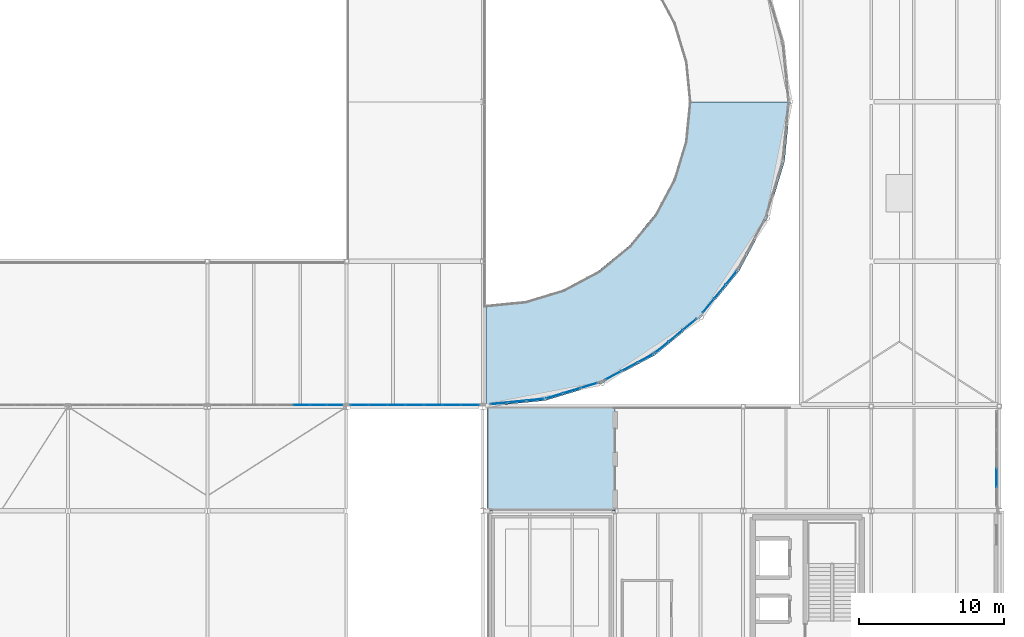
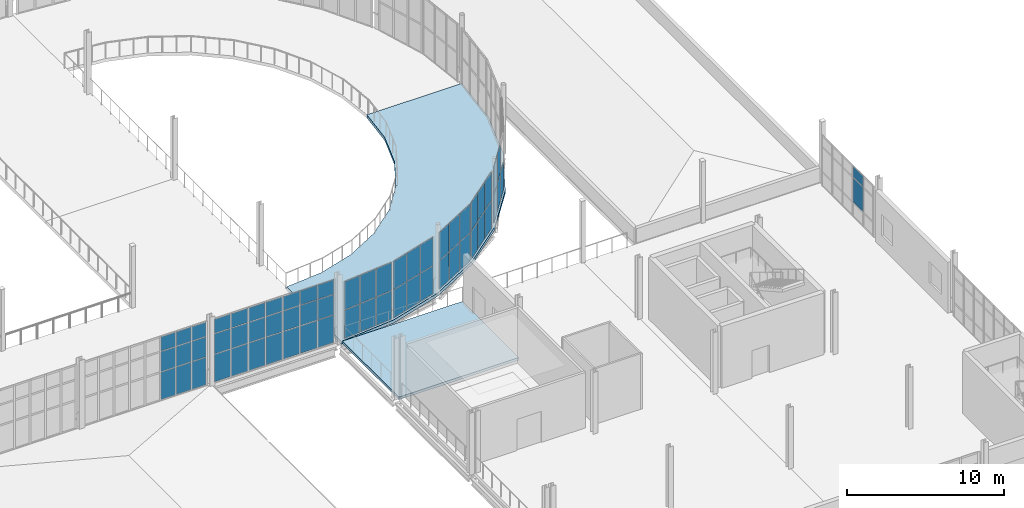
# One storey, part 84 of 112: 61 plates, 2 slabs, 8 elements without a shape of their own.
"""IFC4 building model written with IfcOpenShell, lengths in metres."""

from ifc_helpers import new_model, si_unit, direction, frame, origin, origin_2d, place, context, subcontext, project, spatial, polyline, rectangle, outline, extrude, material, layer, layer_set, type_object, element, aggregate, save


model = new_model("IFC4")

# Units and contexts
model_context = context("Model", 3, precision=1e-05, world=origin(), true_north=direction((0.0, 1.0)))
body_context = subcontext(model_context, "Body", "Model", "MODEL_VIEW")
ifc_project = project(units=[si_unit("LENGTHUNIT", "METRE"), si_unit("AREAUNIT", "SQUARE_METRE"), si_unit("VOLUMEUNIT", "CUBIC_METRE"), si_unit("PLANEANGLEUNIT", "RADIAN"), si_unit("MASSUNIT", "GRAM", prefix="KILO")], contexts=[model_context])

# Site, building, storey
site_placement = place(None, origin())
site = spatial("IfcSite", under=ifc_project, at=site_placement, CompositionType="ELEMENT")
building_placement = place(site_placement, origin())
building = spatial("IfcBuilding", under=site, at=building_placement, Name="Yeouljin Market Hall", CompositionType="ELEMENT")
storey_placement = place(building_placement, frame((0.0, 0.0, 6.0)))
storey = spatial("IfcBuildingStorey", under=building, at=storey_placement, Name="L01", CompositionType="ELEMENT", Elevation=6.0)

# Curtain wall, plates
ifc_material_1 = material(Name="Thermally Broken Aluminium", Category="aluminium")
ifc_layer_1 = layer(ifc_material_1, 0.159912109375)
ifc_layer_set_1 = layer_set([ifc_layer_1], Name="Thermally Broken Aluminium")
curtain_wall_type_1 = type_object("IfcCurtainWallType", Name="CW_HallClerestory_System", PredefinedType="USERDEFINED", material=ifc_layer_set_1)
curtain_wall_1_placement = place(storey_placement, origin())
curtain_wall_1 = element("IfcCurtainWall", 1, at=curtain_wall_1_placement, inside=storey, type_object=curtain_wall_type_1, Name="Curtain wall CW-V1S-L01-10", ObjectType="CURTAIN WALL", PredefinedType="USERDEFINED")
ifc_material_2 = material(Name="Low-E Insulated Glass", Category="glass")
ifc_layer_2 = layer(ifc_material_2, 0.028076171875)
ifc_layer_set_2 = layer_set([ifc_layer_2], Name="Low-E Insulated Glass")
plate_type = type_object("IfcPlateType", Name="CWPanel_LowE_28", PredefinedType="CURTAIN_PANEL", material=ifc_layer_set_2)
plate_1_placement = place(storey_placement, frame((130.5693359375, 36.10009765625, 0.048095703125), z_axis=(0.0, 0.0, 1.0), x_axis=(-1.0, 0.0, 0.0)))
plate_1 = element("IfcPlate", 2, at=plate_1_placement, type_object=plate_type, Name="CW-02 panel 1.1", PredefinedType="CURTAIN_PANEL", context=body_context, shape_type="SweptSolid", body=[
    extrude(rectangle(XDim=1.0654296875, YDim=0.028076171875, at=origin_2d()), origin(), (0.0, 0.0, 1.0), 2.1279296875),
])
plate_2_placement = place(storey_placement, frame((130.5693359375, 36.10009765625, 2.22412109375), z_axis=(0.0, 0.0, 1.0), x_axis=(-1.0, 0.0, 0.0)))
plate_2 = element("IfcPlate", 3, at=plate_2_placement, type_object=plate_type, Name="CW-02 panel 1.2", PredefinedType="CURTAIN_PANEL", context=body_context, shape_type="SweptSolid", body=[
    extrude(rectangle(XDim=1.0654296875, YDim=0.028076171875, at=origin_2d()), origin(), (0.0, 0.0, 1.0), 1.552001953125),
])
plate_3_placement = place(storey_placement, frame((130.5693359375, 36.10009765625, 3.82421875), z_axis=(0.0, 0.0, 1.0), x_axis=(-1.0, 0.0, 0.0)))
plate_3 = element("IfcPlate", 4, at=plate_3_placement, type_object=plate_type, Name="CW-02 panel 1.3", PredefinedType="CURTAIN_PANEL", context=body_context, shape_type="SweptSolid", body=[
    extrude(rectangle(XDim=1.0654296875, YDim=0.028076171875, at=origin_2d()), origin(), (0.0, 0.0, 1.0), 1.097900390625),
])
plate_4_placement = place(storey_placement, frame((129.44384765625, 36.10009765625, 0.048095703125), z_axis=(0.0, 0.0, 1.0), x_axis=(-1.0, 0.0, 0.0)))
plate_4 = element("IfcPlate", 5, at=plate_4_placement, type_object=plate_type, Name="CW-02 panel 2.1", PredefinedType="CURTAIN_PANEL", context=body_context, shape_type="SweptSolid", body=[
    extrude(rectangle(XDim=1.089599609375, YDim=0.028076171875, at=origin_2d()), origin(), (0.0, 0.0, 1.0), 2.1279296875),
])
plate_5_placement = place(storey_placement, frame((129.44384765625, 36.10009765625, 2.22412109375), z_axis=(0.0, 0.0, 1.0), x_axis=(-1.0, 0.0, 0.0)))
plate_5 = element("IfcPlate", 6, at=plate_5_placement, type_object=plate_type, Name="CW-02 panel 2.2", PredefinedType="CURTAIN_PANEL", context=body_context, shape_type="SweptSolid", body=[
    extrude(rectangle(XDim=1.089599609375, YDim=0.028076171875, at=origin_2d()), origin(), (0.0, 0.0, 1.0), 1.552001953125),
])
plate_6_placement = place(storey_placement, frame((129.44384765625, 36.10009765625, 3.82421875), z_axis=(0.0, 0.0, 1.0), x_axis=(-1.0, 0.0, 0.0)))
plate_6 = element("IfcPlate", 7, at=plate_6_placement, type_object=plate_type, Name="CW-02 panel 2.3", PredefinedType="CURTAIN_PANEL", context=body_context, shape_type="SweptSolid", body=[
    extrude(rectangle(XDim=1.089599609375, YDim=0.028076171875, at=origin_2d()), origin(), (0.0, 0.0, 1.0), 1.097900390625),
])
plate_7_placement = place(storey_placement, frame((128.30615234375, 36.10009765625, 0.048095703125), z_axis=(0.0, 0.0, 1.0), x_axis=(-1.0, 0.0, 0.0)))
plate_7 = element("IfcPlate", 8, at=plate_7_placement, type_object=plate_type, Name="CW-02 panel 3.1", PredefinedType="CURTAIN_PANEL", context=body_context, shape_type="SweptSolid", body=[
    extrude(rectangle(XDim=1.089599609375, YDim=0.028076171875, at=origin_2d()), origin(), (0.0, 0.0, 1.0), 2.1279296875),
])
plate_8_placement = place(storey_placement, frame((128.30615234375, 36.10009765625, 2.22412109375), z_axis=(0.0, 0.0, 1.0), x_axis=(-1.0, 0.0, 0.0)))
plate_8 = element("IfcPlate", 9, at=plate_8_placement, type_object=plate_type, Name="CW-02 panel 3.2", PredefinedType="CURTAIN_PANEL", context=body_context, shape_type="SweptSolid", body=[
    extrude(rectangle(XDim=1.089599609375, YDim=0.028076171875, at=origin_2d()), origin(), (0.0, 0.0, 1.0), 1.552001953125),
])
plate_9_placement = place(storey_placement, frame((128.30615234375, 36.10009765625, 3.82421875), z_axis=(0.0, 0.0, 1.0), x_axis=(-1.0, 0.0, 0.0)))
plate_9 = element("IfcPlate", 10, at=plate_9_placement, type_object=plate_type, Name="CW-02 panel 3.3", PredefinedType="CURTAIN_PANEL", context=body_context, shape_type="SweptSolid", body=[
    extrude(rectangle(XDim=1.089599609375, YDim=0.028076171875, at=origin_2d()), origin(), (0.0, 0.0, 1.0), 1.097900390625),
])
aggregate(curtain_wall_1, [plate_1, plate_2, plate_3, plate_4, plate_5, plate_6, plate_7, plate_8, plate_9])

curtain_wall_2_placement = place(storey_placement, origin())
curtain_wall_2 = element("IfcCurtainWall", 11, at=curtain_wall_2_placement, inside=storey, type_object=curtain_wall_type_1, Name="Curtain wall CW-V1S-L01-11", ObjectType="CURTAIN WALL", PredefinedType="USERDEFINED")
plate_10_placement = place(storey_placement, frame((139.90234375, 36.10009765625, 0.048095703125), z_axis=(0.0, 0.0, 1.0), x_axis=(-1.0, 0.0, 0.0)))
plate_10 = element("IfcPlate", 12, at=plate_10_placement, type_object=plate_type, Name="CW-02 panel 1.1", PredefinedType="CURTAIN_PANEL", context=body_context, shape_type="SweptSolid", body=[
    extrude(rectangle(XDim=1.199462890625, YDim=0.028076171875, at=origin_2d()), origin(), (0.0, 0.0, 1.0), 2.1279296875),
])
plate_11_placement = place(storey_placement, frame((139.90234375, 36.10009765625, 2.22412109375), z_axis=(0.0, 0.0, 1.0), x_axis=(-1.0, 0.0, 0.0)))
plate_11 = element("IfcPlate", 13, at=plate_11_placement, type_object=plate_type, Name="CW-02 panel 1.2", PredefinedType="CURTAIN_PANEL", context=body_context, shape_type="SweptSolid", body=[
    extrude(rectangle(XDim=1.199462890625, YDim=0.028076171875, at=origin_2d()), origin(), (0.0, 0.0, 1.0), 1.552001953125),
])
plate_12_placement = place(storey_placement, frame((139.90234375, 36.10009765625, 3.82421875), z_axis=(0.0, 0.0, 1.0), x_axis=(-1.0, 0.0, 0.0)))
plate_12 = element("IfcPlate", 14, at=plate_12_placement, type_object=plate_type, Name="CW-02 panel 1.3", PredefinedType="CURTAIN_PANEL", context=body_context, shape_type="SweptSolid", body=[
    extrude(rectangle(XDim=1.199462890625, YDim=0.028076171875, at=origin_2d()), origin(), (0.0, 0.0, 1.0), 1.097900390625),
])
plate_13_placement = place(storey_placement, frame((138.642822265625, 36.10009765625, 0.048095703125), z_axis=(0.0, 0.0, 1.0), x_axis=(-1.0, 0.0, 0.0)))
plate_13 = element("IfcPlate", 15, at=plate_13_placement, type_object=plate_type, Name="CW-02 panel 2.1", PredefinedType="CURTAIN_PANEL", context=body_context, shape_type="SweptSolid", body=[
    extrude(rectangle(XDim=1.223388671875, YDim=0.028076171875, at=origin_2d()), origin(), (0.0, 0.0, 1.0), 2.1279296875),
])
plate_14_placement = place(storey_placement, frame((138.642822265625, 36.10009765625, 2.22412109375), z_axis=(0.0, 0.0, 1.0), x_axis=(-1.0, 0.0, 0.0)))
plate_14 = element("IfcPlate", 16, at=plate_14_placement, type_object=plate_type, Name="CW-02 panel 2.2", PredefinedType="CURTAIN_PANEL", context=body_context, shape_type="SweptSolid", body=[
    extrude(rectangle(XDim=1.223388671875, YDim=0.028076171875, at=origin_2d()), origin(), (0.0, 0.0, 1.0), 1.552001953125),
])
plate_15_placement = place(storey_placement, frame((138.642822265625, 36.10009765625, 3.82421875), z_axis=(0.0, 0.0, 1.0), x_axis=(-1.0, 0.0, 0.0)))
plate_15 = element("IfcPlate", 17, at=plate_15_placement, type_object=plate_type, Name="CW-02 panel 2.3", PredefinedType="CURTAIN_PANEL", context=body_context, shape_type="SweptSolid", body=[
    extrude(rectangle(XDim=1.223388671875, YDim=0.028076171875, at=origin_2d()), origin(), (0.0, 0.0, 1.0), 1.097900390625),
])
plate_16_placement = place(storey_placement, frame((137.371337890625, 36.10009765625, 0.048095703125), z_axis=(0.0, 0.0, 1.0), x_axis=(-1.0, 0.0, 0.0)))
plate_16 = element("IfcPlate", 18, at=plate_16_placement, type_object=plate_type, Name="CW-02 panel 3.1", PredefinedType="CURTAIN_PANEL", context=body_context, shape_type="SweptSolid", body=[
    extrude(rectangle(XDim=1.223388671875, YDim=0.028076171875, at=origin_2d()), origin(), (0.0, 0.0, 1.0), 2.1279296875),
])
plate_17_placement = place(storey_placement, frame((137.371337890625, 36.10009765625, 2.22412109375), z_axis=(0.0, 0.0, 1.0), x_axis=(-1.0, 0.0, 0.0)))
plate_17 = element("IfcPlate", 19, at=plate_17_placement, type_object=plate_type, Name="CW-02 panel 3.2", PredefinedType="CURTAIN_PANEL", context=body_context, shape_type="SweptSolid", body=[
    extrude(rectangle(XDim=1.223388671875, YDim=0.028076171875, at=origin_2d()), origin(), (0.0, 0.0, 1.0), 1.552001953125),
])
plate_18_placement = place(storey_placement, frame((137.371337890625, 36.10009765625, 3.82421875), z_axis=(0.0, 0.0, 1.0), x_axis=(-1.0, 0.0, 0.0)))
plate_18 = element("IfcPlate", 20, at=plate_18_placement, type_object=plate_type, Name="CW-02 panel 3.3", PredefinedType="CURTAIN_PANEL", context=body_context, shape_type="SweptSolid", body=[
    extrude(rectangle(XDim=1.223388671875, YDim=0.028076171875, at=origin_2d()), origin(), (0.0, 0.0, 1.0), 1.097900390625),
])
plate_19_placement = place(storey_placement, frame((136.10009765625, 36.10009765625, 0.048095703125), z_axis=(0.0, 0.0, 1.0), x_axis=(-1.0, 0.0, 0.0)))
plate_19 = element("IfcPlate", 21, at=plate_19_placement, type_object=plate_type, Name="CW-02 panel 4.1", PredefinedType="CURTAIN_PANEL", context=body_context, shape_type="SweptSolid", body=[
    extrude(rectangle(XDim=1.223388671875, YDim=0.028076171875, at=origin_2d()), origin(), (0.0, 0.0, 1.0), 2.1279296875),
])
plate_20_placement = place(storey_placement, frame((136.10009765625, 36.10009765625, 2.22412109375), z_axis=(0.0, 0.0, 1.0), x_axis=(-1.0, 0.0, 0.0)))
plate_20 = element("IfcPlate", 22, at=plate_20_placement, type_object=plate_type, Name="CW-02 panel 4.2", PredefinedType="CURTAIN_PANEL", context=body_context, shape_type="SweptSolid", body=[
    extrude(rectangle(XDim=1.223388671875, YDim=0.028076171875, at=origin_2d()), origin(), (0.0, 0.0, 1.0), 1.552001953125),
])
plate_21_placement = place(storey_placement, frame((136.10009765625, 36.10009765625, 3.82421875), z_axis=(0.0, 0.0, 1.0), x_axis=(-1.0, 0.0, 0.0)))
plate_21 = element("IfcPlate", 23, at=plate_21_placement, type_object=plate_type, Name="CW-02 panel 4.3", PredefinedType="CURTAIN_PANEL", context=body_context, shape_type="SweptSolid", body=[
    extrude(rectangle(XDim=1.223388671875, YDim=0.028076171875, at=origin_2d()), origin(), (0.0, 0.0, 1.0), 1.097900390625),
])
plate_22_placement = place(storey_placement, frame((134.82861328125, 36.10009765625, 0.048095703125), z_axis=(0.0, 0.0, 1.0), x_axis=(-1.0, 0.0, 0.0)))
plate_22 = element("IfcPlate", 24, at=plate_22_placement, type_object=plate_type, Name="CW-02 panel 5.1", PredefinedType="CURTAIN_PANEL", context=body_context, shape_type="SweptSolid", body=[
    extrude(rectangle(XDim=1.223388671875, YDim=0.028076171875, at=origin_2d()), origin(), (0.0, 0.0, 1.0), 2.1279296875),
])
plate_23_placement = place(storey_placement, frame((134.82861328125, 36.10009765625, 2.22412109375), z_axis=(0.0, 0.0, 1.0), x_axis=(-1.0, 0.0, 0.0)))
plate_23 = element("IfcPlate", 25, at=plate_23_placement, type_object=plate_type, Name="CW-02 panel 5.2", PredefinedType="CURTAIN_PANEL", context=body_context, shape_type="SweptSolid", body=[
    extrude(rectangle(XDim=1.223388671875, YDim=0.028076171875, at=origin_2d()), origin(), (0.0, 0.0, 1.0), 1.552001953125),
])
plate_24_placement = place(storey_placement, frame((134.82861328125, 36.10009765625, 3.82421875), z_axis=(0.0, 0.0, 1.0), x_axis=(-1.0, 0.0, 0.0)))
plate_24 = element("IfcPlate", 26, at=plate_24_placement, type_object=plate_type, Name="CW-02 panel 5.3", PredefinedType="CURTAIN_PANEL", context=body_context, shape_type="SweptSolid", body=[
    extrude(rectangle(XDim=1.223388671875, YDim=0.028076171875, at=origin_2d()), origin(), (0.0, 0.0, 1.0), 1.097900390625),
])
plate_25_placement = place(storey_placement, frame((133.55712890625, 36.10009765625, 0.048095703125), z_axis=(0.0, 0.0, 1.0), x_axis=(-1.0, 0.0, 0.0)))
plate_25 = element("IfcPlate", 27, at=plate_25_placement, type_object=plate_type, Name="CW-02 panel 6.1", PredefinedType="CURTAIN_PANEL", context=body_context, shape_type="SweptSolid", body=[
    extrude(rectangle(XDim=1.223388671875, YDim=0.028076171875, at=origin_2d()), origin(), (0.0, 0.0, 1.0), 2.1279296875),
])
plate_26_placement = place(storey_placement, frame((133.55712890625, 36.10009765625, 2.22412109375), z_axis=(0.0, 0.0, 1.0), x_axis=(-1.0, 0.0, 0.0)))
plate_26 = element("IfcPlate", 28, at=plate_26_placement, type_object=plate_type, Name="CW-02 panel 6.2", PredefinedType="CURTAIN_PANEL", context=body_context, shape_type="SweptSolid", body=[
    extrude(rectangle(XDim=1.223388671875, YDim=0.028076171875, at=origin_2d()), origin(), (0.0, 0.0, 1.0), 1.552001953125),
])
plate_27_placement = place(storey_placement, frame((133.55712890625, 36.10009765625, 3.82421875), z_axis=(0.0, 0.0, 1.0), x_axis=(-1.0, 0.0, 0.0)))
plate_27 = element("IfcPlate", 29, at=plate_27_placement, type_object=plate_type, Name="CW-02 panel 6.3", PredefinedType="CURTAIN_PANEL", context=body_context, shape_type="SweptSolid", body=[
    extrude(rectangle(XDim=1.223388671875, YDim=0.028076171875, at=origin_2d()), origin(), (0.0, 0.0, 1.0), 1.097900390625),
])
plate_28_placement = place(storey_placement, frame((132.297607421875, 36.10009765625, 0.048095703125), z_axis=(0.0, 0.0, 1.0), x_axis=(-1.0, 0.0, 0.0)))
plate_28 = element("IfcPlate", 30, at=plate_28_placement, type_object=plate_type, Name="CW-02 panel 7.1", PredefinedType="CURTAIN_PANEL", context=body_context, shape_type="SweptSolid", body=[
    extrude(rectangle(XDim=1.199462890625, YDim=0.028076171875, at=origin_2d()), origin(), (0.0, 0.0, 1.0), 2.1279296875),
])
plate_29_placement = place(storey_placement, frame((132.297607421875, 36.10009765625, 2.22412109375), z_axis=(0.0, 0.0, 1.0), x_axis=(-1.0, 0.0, 0.0)))
plate_29 = element("IfcPlate", 31, at=plate_29_placement, type_object=plate_type, Name="CW-02 panel 7.2", PredefinedType="CURTAIN_PANEL", context=body_context, shape_type="SweptSolid", body=[
    extrude(rectangle(XDim=1.199462890625, YDim=0.028076171875, at=origin_2d()), origin(), (0.0, 0.0, 1.0), 1.552001953125),
])
plate_30_placement = place(storey_placement, frame((132.297607421875, 36.10009765625, 3.82421875), z_axis=(0.0, 0.0, 1.0), x_axis=(-1.0, 0.0, 0.0)))
plate_30 = element("IfcPlate", 32, at=plate_30_placement, type_object=plate_type, Name="CW-02 panel 7.3", PredefinedType="CURTAIN_PANEL", context=body_context, shape_type="SweptSolid", body=[
    extrude(rectangle(XDim=1.199462890625, YDim=0.028076171875, at=origin_2d()), origin(), (0.0, 0.0, 1.0), 1.097900390625),
])
aggregate(curtain_wall_2, [plate_10, plate_11, plate_12, plate_13, plate_14, plate_15, plate_16, plate_17, plate_18, plate_19, plate_20, plate_21, plate_22, plate_23, plate_24, plate_25, plate_26, plate_27, plate_28, plate_29, plate_30])

ifc_material_3 = material(Name="Thermally Broken Aluminium", Category="aluminium")
ifc_layer_3 = layer(ifc_material_3, 0.179931640625)
ifc_layer_set_3 = layer_set([ifc_layer_3], Name="Thermally Broken Aluminium")
curtain_wall_type_2 = type_object("IfcCurtainWallType", Name="CW_ApseCurved_System", PredefinedType="USERDEFINED", material=ifc_layer_set_3)
curtain_wall_3_placement = place(storey_placement, origin())
curtain_wall_3 = element("IfcCurtainWall", 33, at=curtain_wall_3_placement, inside=storey, type_object=curtain_wall_type_2, Name="Curtain wall CW-AP-EL01-01", ObjectType="CURTAIN WALL", PredefinedType="USERDEFINED")
plate_31_placement = place(storey_placement, frame((144.39599609375, 36.45458984375, 0.0478515625), z_axis=(0.0, 0.0, 1.0), x_axis=(-0.995183051807, -0.09803414403, 0.0)))
plate_31 = element("IfcPlate", 34, at=plate_31_placement, type_object=plate_type, Name="CW-03 panel 1.1", PredefinedType="CURTAIN_PANEL", context=body_context, shape_type="SweptSolid", body=[
    extrude(rectangle(XDim=1.185791015625, YDim=0.028076171875, at=origin_2d()), origin(), (0.0, 0.0, 1.0), 2.177978515625),
])
plate_32_placement = place(storey_placement, frame((144.39599609375, 36.45458984375, 2.27392578125), z_axis=(0.0, 0.0, 1.0), x_axis=(-0.995183051807, -0.09803414403, 0.0)))
plate_32 = element("IfcPlate", 35, at=plate_32_placement, type_object=plate_type, Name="CW-03 panel 1.2", PredefinedType="CURTAIN_PANEL", context=body_context, shape_type="SweptSolid", body=[
    extrude(rectangle(XDim=1.185791015625, YDim=0.028076171875, at=origin_2d()), origin(), (0.0, 0.0, 1.0), 2.177978515625),
])
plate_33_placement = place(storey_placement, frame((143.15625, 36.332275390625, 0.0478515625), z_axis=(0.0, 0.0, 1.0), x_axis=(-0.995183051807, -0.09803414403, 0.0)))
plate_33 = element("IfcPlate", 36, at=plate_33_placement, type_object=plate_type, Name="CW-03 panel 2.1", PredefinedType="CURTAIN_PANEL", context=body_context, shape_type="SweptSolid", body=[
    extrude(rectangle(XDim=1.209716796875, YDim=0.028076171875, at=origin_2d()), origin(), (0.0, 0.0, 1.0), 2.177978515625),
])
plate_34_placement = place(storey_placement, frame((143.15625, 36.332275390625, 2.27392578125), z_axis=(0.0, 0.0, 1.0), x_axis=(-0.995183051807, -0.09803414403, 0.0)))
plate_34 = element("IfcPlate", 37, at=plate_34_placement, type_object=plate_type, Name="CW-03 panel 2.2", PredefinedType="CURTAIN_PANEL", context=body_context, shape_type="SweptSolid", body=[
    extrude(rectangle(XDim=1.209716796875, YDim=0.028076171875, at=origin_2d()), origin(), (0.0, 0.0, 1.0), 2.177978515625),
])
plate_35_placement = place(storey_placement, frame((141.91650390625, 36.210205078125, 0.0478515625), z_axis=(0.0, 0.0, 1.0), x_axis=(-0.995183051807, -0.09803414403, 0.0)))
plate_35 = element("IfcPlate", 38, at=plate_35_placement, type_object=plate_type, Name="CW-03 panel 3.1", PredefinedType="CURTAIN_PANEL", context=body_context, shape_type="SweptSolid", body=[
    extrude(rectangle(XDim=1.185791015625, YDim=0.028076171875, at=origin_2d()), origin(), (0.0, 0.0, 1.0), 2.177978515625),
])
plate_36_placement = place(storey_placement, frame((141.91650390625, 36.210205078125, 2.27392578125), z_axis=(0.0, 0.0, 1.0), x_axis=(-0.995183051807, -0.09803414403, 0.0)))
plate_36 = element("IfcPlate", 39, at=plate_36_placement, type_object=plate_type, Name="CW-03 panel 3.2", PredefinedType="CURTAIN_PANEL", context=body_context, shape_type="SweptSolid", body=[
    extrude(rectangle(XDim=1.185791015625, YDim=0.028076171875, at=origin_2d()), origin(), (0.0, 0.0, 1.0), 2.177978515625),
])
aggregate(curtain_wall_3, [plate_31, plate_32, plate_33, plate_34, plate_35, plate_36])

curtain_wall_4_placement = place(storey_placement, origin())
curtain_wall_4 = element("IfcCurtainWall", 40, at=curtain_wall_4_placement, inside=storey, type_object=curtain_wall_type_2, Name="Curtain wall CW-AP-EL01-02", ObjectType="CURTAIN WALL", PredefinedType="USERDEFINED")
plate_37_placement = place(storey_placement, frame((148.109130859375, 37.442138671875, 0.0478515625), z_axis=(0.0, 0.0, 1.0), x_axis=(-0.95693988447, -0.290286164863, 0.0)))
plate_37 = element("IfcPlate", 41, at=plate_37_placement, type_object=plate_type, Name="CW-03 panel 1.1", PredefinedType="CURTAIN_PANEL", context=body_context, shape_type="SweptSolid", body=[
    extrude(rectangle(XDim=1.185791015625, YDim=0.028076171875, at=origin_2d()), origin(), (0.0, 0.0, 1.0), 2.177978515625),
])
plate_38_placement = place(storey_placement, frame((148.109130859375, 37.442138671875, 2.27392578125), z_axis=(0.0, 0.0, 1.0), x_axis=(-0.95693988447, -0.290286164863, 0.0)))
plate_38 = element("IfcPlate", 42, at=plate_38_placement, type_object=plate_type, Name="CW-03 panel 1.2", PredefinedType="CURTAIN_PANEL", context=body_context, shape_type="SweptSolid", body=[
    extrude(rectangle(XDim=1.185791015625, YDim=0.028076171875, at=origin_2d()), origin(), (0.0, 0.0, 1.0), 2.177978515625),
])
plate_39_placement = place(storey_placement, frame((146.917236328125, 37.08056640625, 0.0478515625), z_axis=(0.0, 0.0, 1.0), x_axis=(-0.95693988447, -0.290286164863, 0.0)))
plate_39 = element("IfcPlate", 43, at=plate_39_placement, type_object=plate_type, Name="CW-03 panel 2.1", PredefinedType="CURTAIN_PANEL", context=body_context, shape_type="SweptSolid", body=[
    extrude(rectangle(XDim=1.209716796875, YDim=0.028076171875, at=origin_2d()), origin(), (0.0, 0.0, 1.0), 2.177978515625),
])
plate_40_placement = place(storey_placement, frame((146.917236328125, 37.08056640625, 2.27392578125), z_axis=(0.0, 0.0, 1.0), x_axis=(-0.95693988447, -0.290286164863, 0.0)))
plate_40 = element("IfcPlate", 44, at=plate_40_placement, type_object=plate_type, Name="CW-03 panel 2.2", PredefinedType="CURTAIN_PANEL", context=body_context, shape_type="SweptSolid", body=[
    extrude(rectangle(XDim=1.209716796875, YDim=0.028076171875, at=origin_2d()), origin(), (0.0, 0.0, 1.0), 2.177978515625),
])
plate_41_placement = place(storey_placement, frame((145.72509765625, 36.71875, 0.0478515625), z_axis=(0.0, 0.0, 1.0), x_axis=(-0.95693988447, -0.290286164863, 0.0)))
plate_41 = element("IfcPlate", 45, at=plate_41_placement, type_object=plate_type, Name="CW-03 panel 3.1", PredefinedType="CURTAIN_PANEL", context=body_context, shape_type="SweptSolid", body=[
    extrude(rectangle(XDim=1.185791015625, YDim=0.028076171875, at=origin_2d()), origin(), (0.0, 0.0, 1.0), 2.177978515625),
])
plate_42_placement = place(storey_placement, frame((145.72509765625, 36.71875, 2.27392578125), z_axis=(0.0, 0.0, 1.0), x_axis=(-0.95693988447, -0.290286164863, 0.0)))
plate_42 = element("IfcPlate", 46, at=plate_42_placement, type_object=plate_type, Name="CW-03 panel 3.2", PredefinedType="CURTAIN_PANEL", context=body_context, shape_type="SweptSolid", body=[
    extrude(rectangle(XDim=1.185791015625, YDim=0.028076171875, at=origin_2d()), origin(), (0.0, 0.0, 1.0), 2.177978515625),
])
aggregate(curtain_wall_4, [plate_37, plate_38, plate_39, plate_40, plate_41, plate_42])

curtain_wall_5_placement = place(storey_placement, origin())
curtain_wall_5 = element("IfcCurtainWall", 47, at=curtain_wall_5_placement, inside=storey, type_object=curtain_wall_type_2, Name="Curtain wall CW-AP-EL01-03", ObjectType="CURTAIN WALL", PredefinedType="USERDEFINED")
plate_43_placement = place(storey_placement, frame((151.999755859375, 39.31787109375, 0.0478515625), z_axis=(0.0, 0.0, 1.0), x_axis=(-0.881931478712, -0.471377626598, 0.0)))
plate_43 = element("IfcPlate", 48, at=plate_43_placement, type_object=plate_type, Name="CW-03 panel 1.1", PredefinedType="CURTAIN_PANEL", context=body_context, shape_type="SweptSolid", body=[
    extrude(rectangle(XDim=1.185791015625, YDim=0.028076171875, at=origin_2d()), origin(), (0.0, 0.0, 1.0), 2.177978515625),
])
plate_44_placement = place(storey_placement, frame((151.999755859375, 39.31787109375, 2.27392578125), z_axis=(0.0, 0.0, 1.0), x_axis=(-0.881931478712, -0.471377626598, 0.0)))
plate_44 = element("IfcPlate", 49, at=plate_44_placement, type_object=plate_type, Name="CW-03 panel 1.2", PredefinedType="CURTAIN_PANEL", context=body_context, shape_type="SweptSolid", body=[
    extrude(rectangle(XDim=1.185791015625, YDim=0.028076171875, at=origin_2d()), origin(), (0.0, 0.0, 1.0), 2.177978515625),
])
plate_45_placement = place(storey_placement, frame((150.901123046875, 38.730712890625, 0.0478515625), z_axis=(0.0, 0.0, 1.0), x_axis=(-0.881931478712, -0.471377626598, 0.0)))
plate_45 = element("IfcPlate", 50, at=plate_45_placement, type_object=plate_type, Name="CW-03 panel 2.1", PredefinedType="CURTAIN_PANEL", context=body_context, shape_type="SweptSolid", body=[
    extrude(rectangle(XDim=1.209716796875, YDim=0.028076171875, at=origin_2d()), origin(), (0.0, 0.0, 1.0), 2.177978515625),
])
plate_46_placement = place(storey_placement, frame((150.901123046875, 38.730712890625, 2.27392578125), z_axis=(0.0, 0.0, 1.0), x_axis=(-0.881931478712, -0.471377626598, 0.0)))
plate_46 = element("IfcPlate", 51, at=plate_46_placement, type_object=plate_type, Name="CW-03 panel 2.2", PredefinedType="CURTAIN_PANEL", context=body_context, shape_type="SweptSolid", body=[
    extrude(rectangle(XDim=1.209716796875, YDim=0.028076171875, at=origin_2d()), origin(), (0.0, 0.0, 1.0), 2.177978515625),
])
plate_47_placement = place(storey_placement, frame((149.802490234375, 38.1435546875, 0.0478515625), z_axis=(0.0, 0.0, 1.0), x_axis=(-0.881931478712, -0.471377626598, 0.0)))
plate_47 = element("IfcPlate", 52, at=plate_47_placement, type_object=plate_type, Name="CW-03 panel 3.1", PredefinedType="CURTAIN_PANEL", context=body_context, shape_type="SweptSolid", body=[
    extrude(rectangle(XDim=1.185791015625, YDim=0.028076171875, at=origin_2d()), origin(), (0.0, 0.0, 1.0), 2.177978515625),
])
plate_48_placement = place(storey_placement, frame((149.802490234375, 38.1435546875, 2.27392578125), z_axis=(0.0, 0.0, 1.0), x_axis=(-0.881931478712, -0.471377626598, 0.0)))
plate_48 = element("IfcPlate", 53, at=plate_48_placement, type_object=plate_type, Name="CW-03 panel 3.2", PredefinedType="CURTAIN_PANEL", context=body_context, shape_type="SweptSolid", body=[
    extrude(rectangle(XDim=1.185791015625, YDim=0.028076171875, at=origin_2d()), origin(), (0.0, 0.0, 1.0), 2.177978515625),
])
aggregate(curtain_wall_5, [plate_43, plate_44, plate_45, plate_46, plate_47, plate_48])

curtain_wall_6_placement = place(storey_placement, origin())
curtain_wall_6 = element("IfcCurtainWall", 54, at=curtain_wall_6_placement, inside=storey, type_object=curtain_wall_type_2, Name="Curtain wall CW-AP-EL01-04", ObjectType="CURTAIN WALL", PredefinedType="USERDEFINED")
plate_49_placement = place(storey_placement, frame((155.052490234375, 41.6513671875, 0.0478515625), z_axis=(0.0, 0.0, 1.0), x_axis=(-0.773017717982, -0.634384432096, 0.0)))
plate_49 = element("IfcPlate", 55, at=plate_49_placement, type_object=plate_type, Name="CW-03 panel 1.1", PredefinedType="CURTAIN_PANEL", context=body_context, shape_type="SweptSolid", body=[
    extrude(rectangle(XDim=1.185791015625, YDim=0.028076171875, at=origin_2d()), origin(), (0.0, 0.0, 1.0), 2.177978515625),
])
plate_50_placement = place(storey_placement, frame((155.052490234375, 41.6513671875, 2.27392578125), z_axis=(0.0, 0.0, 1.0), x_axis=(-0.773017717982, -0.634384432096, 0.0)))
plate_50 = element("IfcPlate", 56, at=plate_50_placement, type_object=plate_type, Name="CW-03 panel 1.2", PredefinedType="CURTAIN_PANEL", context=body_context, shape_type="SweptSolid", body=[
    extrude(rectangle(XDim=1.185791015625, YDim=0.028076171875, at=origin_2d()), origin(), (0.0, 0.0, 1.0), 2.177978515625),
])
plate_51_placement = place(storey_placement, frame((154.089599609375, 40.861083984375, 0.0478515625), z_axis=(0.0, 0.0, 1.0), x_axis=(-0.773017717982, -0.634384432096, 0.0)))
plate_51 = element("IfcPlate", 57, at=plate_51_placement, type_object=plate_type, Name="CW-03 panel 2.1", PredefinedType="CURTAIN_PANEL", context=body_context, shape_type="SweptSolid", body=[
    extrude(rectangle(XDim=1.209716796875, YDim=0.028076171875, at=origin_2d()), origin(), (0.0, 0.0, 1.0), 2.177978515625),
])
plate_52_placement = place(storey_placement, frame((154.089599609375, 40.861083984375, 2.27392578125), z_axis=(0.0, 0.0, 1.0), x_axis=(-0.773017717982, -0.634384432096, 0.0)))
plate_52 = element("IfcPlate", 58, at=plate_52_placement, type_object=plate_type, Name="CW-03 panel 2.2", PredefinedType="CURTAIN_PANEL", context=body_context, shape_type="SweptSolid", body=[
    extrude(rectangle(XDim=1.209716796875, YDim=0.028076171875, at=origin_2d()), origin(), (0.0, 0.0, 1.0), 2.177978515625),
])
plate_53_placement = place(storey_placement, frame((153.126708984375, 40.07080078125, 0.0478515625), z_axis=(0.0, 0.0, 1.0), x_axis=(-0.773017717982, -0.634384432096, 0.0)))
plate_53 = element("IfcPlate", 59, at=plate_53_placement, type_object=plate_type, Name="CW-03 panel 3.1", PredefinedType="CURTAIN_PANEL", context=body_context, shape_type="SweptSolid", body=[
    extrude(rectangle(XDim=1.185791015625, YDim=0.028076171875, at=origin_2d()), origin(), (0.0, 0.0, 1.0), 2.177978515625),
])
plate_54_placement = place(storey_placement, frame((153.126708984375, 40.07080078125, 2.27392578125), z_axis=(0.0, 0.0, 1.0), x_axis=(-0.773017717982, -0.634384432096, 0.0)))
plate_54 = element("IfcPlate", 60, at=plate_54_placement, type_object=plate_type, Name="CW-03 panel 3.2", PredefinedType="CURTAIN_PANEL", context=body_context, shape_type="SweptSolid", body=[
    extrude(rectangle(XDim=1.185791015625, YDim=0.028076171875, at=origin_2d()), origin(), (0.0, 0.0, 1.0), 2.177978515625),
])
aggregate(curtain_wall_6, [plate_49, plate_50, plate_51, plate_52, plate_53, plate_54])

curtain_wall_7_placement = place(storey_placement, origin())
curtain_wall_7 = element("IfcCurtainWall", 61, at=curtain_wall_7_placement, inside=storey, type_object=curtain_wall_type_2, Name="Curtain wall CW-AP-EL01-05", ObjectType="CURTAIN WALL", PredefinedType="USERDEFINED")
plate_55_placement = place(storey_placement, frame((157.92919921875, 44.873291015625, 0.0478515625), z_axis=(0.0, 0.0, 1.0), x_axis=(-0.634384432096, -0.773017717982, 0.0)))
plate_55 = element("IfcPlate", 62, at=plate_55_placement, type_object=plate_type, Name="CW-03 panel 1.1", PredefinedType="CURTAIN_PANEL", context=body_context, shape_type="SweptSolid", body=[
    extrude(rectangle(XDim=1.185791015625, YDim=0.028076171875, at=origin_2d()), origin(), (0.0, 0.0, 1.0), 2.177978515625),
])
plate_56_placement = place(storey_placement, frame((157.138916015625, 43.910400390625, 0.0478515625), z_axis=(0.0, 0.0, 1.0), x_axis=(-0.634384432096, -0.773017717982, 0.0)))
plate_56 = element("IfcPlate", 63, at=plate_56_placement, type_object=plate_type, Name="CW-03 panel 2.1", PredefinedType="CURTAIN_PANEL", context=body_context, shape_type="SweptSolid", body=[
    extrude(rectangle(XDim=1.209716796875, YDim=0.028076171875, at=origin_2d()), origin(), (0.0, 0.0, 1.0), 2.177978515625),
])
plate_57_placement = place(storey_placement, frame((157.138916015625, 43.910400390625, 2.27392578125), z_axis=(0.0, 0.0, 1.0), x_axis=(-0.634384432096, -0.773017717982, 0.0)))
plate_57 = element("IfcPlate", 64, at=plate_57_placement, type_object=plate_type, Name="CW-03 panel 2.2", PredefinedType="CURTAIN_PANEL", context=body_context, shape_type="SweptSolid", body=[
    extrude(rectangle(XDim=1.209716796875, YDim=0.028076171875, at=origin_2d()), origin(), (0.0, 0.0, 1.0), 2.177978515625),
])
plate_58_placement = place(storey_placement, frame((156.3486328125, 42.947509765625, 0.0478515625), z_axis=(0.0, 0.0, 1.0), x_axis=(-0.634384432096, -0.773017717982, 0.0)))
plate_58 = element("IfcPlate", 65, at=plate_58_placement, type_object=plate_type, Name="CW-03 panel 3.1", PredefinedType="CURTAIN_PANEL", context=body_context, shape_type="SweptSolid", body=[
    extrude(rectangle(XDim=1.185791015625, YDim=0.028076171875, at=origin_2d()), origin(), (0.0, 0.0, 1.0), 2.177978515625),
])
plate_59_placement = place(storey_placement, frame((156.3486328125, 42.947509765625, 2.27392578125), z_axis=(0.0, 0.0, 1.0), x_axis=(-0.634384432096, -0.773017717982, 0.0)))
plate_59 = element("IfcPlate", 66, at=plate_59_placement, type_object=plate_type, Name="CW-03 panel 3.2", PredefinedType="CURTAIN_PANEL", context=body_context, shape_type="SweptSolid", body=[
    extrude(rectangle(XDim=1.185791015625, YDim=0.028076171875, at=origin_2d()), origin(), (0.0, 0.0, 1.0), 2.177978515625),
])
aggregate(curtain_wall_7, [plate_55, plate_56, plate_57, plate_58, plate_59])

ifc_material_4 = material(Name="Thermally Broken Aluminium", Category="aluminium")
ifc_layer_4 = layer(ifc_material_4, 0.14990234375)
ifc_layer_set_4 = layer_set([ifc_layer_4], Name="Thermally Broken Aluminium")
curtain_wall_type_3 = type_object("IfcCurtainWallType", Name="CW_AcademyRibbon_System", PredefinedType="USERDEFINED", material=ifc_layer_set_4)
curtain_wall_8_placement = place(storey_placement, origin())
curtain_wall_8 = element("IfcCurtainWall", 67, at=curtain_wall_8_placement, inside=storey, type_object=curtain_wall_type_3, Name="Curtain wall CW-L01-W13", ObjectType="CURTAIN WALL", PredefinedType="USERDEFINED")
plate_60_placement = place(storey_placement, frame((176.199951171875, 31.080078125, 1.1240234375), z_axis=(0.0, 0.0, 1.0), x_axis=(0.0, -1.0, 0.0)))
plate_60 = element("IfcPlate", 68, at=plate_60_placement, type_object=plate_type, Name="CW-05 panel 4.2", PredefinedType="CURTAIN_PANEL", context=body_context, shape_type="SweptSolid", body=[
    extrude(rectangle(XDim=1.27197265625, YDim=0.028076171875, at=origin_2d()), origin(), (0.0, 0.0, 1.0), 1.902099609375),
])
plate_61_placement = place(storey_placement, frame((176.199951171875, 31.080078125, 3.07421875), z_axis=(0.0, 0.0, 1.0), x_axis=(0.0, -1.0, 0.0)))
plate_61 = element("IfcPlate", 69, at=plate_61_placement, type_object=plate_type, Name="CW-05 panel 4.3", PredefinedType="CURTAIN_PANEL", context=body_context, shape_type="SweptSolid", body=[
    extrude(rectangle(XDim=1.27197265625, YDim=0.028076171875, at=origin_2d()), origin(), (0.0, 0.0, 1.0), 0.827880859375),
])
aggregate(curtain_wall_8, [plate_60, plate_61])

# Slabs
ifc_material_5 = material(Name="Concrete C30/37", Category="concrete")
ifc_layer_5 = layer(ifc_material_5, 0.2451171875)
ifc_layer_set_5 = layer_set([ifc_layer_5], Name="Concrete C30/37")
slab_type_1 = type_object("IfcSlabType", Name="SLB_MEZZ_230", PredefinedType="FLOOR", material=ifc_layer_set_5)
slab_1_placement = place(storey_placement, frame((0.0, 0.0, -0.2451171875)))
element("IfcSlab", 70, at=slab_1_placement, inside=storey, type_object=slab_type_1, Name="Structural slab SLB-L01-AES", PredefinedType="FLOOR", context=body_context, shape_type="SweptSolid", body=[
    extrude(outline(polyline([(141.0, 36.0), (145.096923828125, 36.403564453125), (149.036376953125, 37.598388671875), (152.6669921875, 39.5390625), (155.84912109375, 42.15087890625), (158.4609375, 45.3330078125), (160.401611328125, 48.963623046875), (161.596435546875, 52.903076171875), (162.0, 57.0), (155.0, 57.0), (154.73095703125, 54.268798828125), (153.934326171875, 51.642333984375), (152.640625, 49.221923828125), (150.8994140625, 47.1005859375), (148.778076171875, 45.359375), (146.357666015625, 44.065673828125), (143.731201171875, 43.26904296875), (141.0, 43.0), (141.0, 36.0)])), origin(), (0.0, 0.0, 1.0), 0.2451171875),
])
ifc_material_6 = material(Name="Concrete C30/37", Category="concrete")
ifc_layer_6 = layer(ifc_material_6, 0.199951171875)
ifc_layer_set_6 = layer_set([ifc_layer_6], Name="Concrete C30/37")
slab_type_2 = type_object("IfcSlabType", Name="SLB_TERR_200", PredefinedType="FLOOR", material=ifc_layer_set_6)
slab_2_placement = place(storey_placement, frame((0.0, 0.0, -0.199951171875)))
element("IfcSlab", 71, at=slab_2_placement, inside=storey, type_object=slab_type_2, Name="Structural slab SLB-L01-TRE", PredefinedType="FLOOR", context=body_context, shape_type="SweptSolid", body=[
    extrude(outline(polyline([(141.080078125, 28.800048828125), (149.909912109375, 28.800048828125), (149.909912109375, 36.0), (141.080078125, 36.0), (141.080078125, 28.800048828125)])), origin(), (0.0, 0.0, 1.0), 0.199951171875),
])

save(model, "model.ifc")
